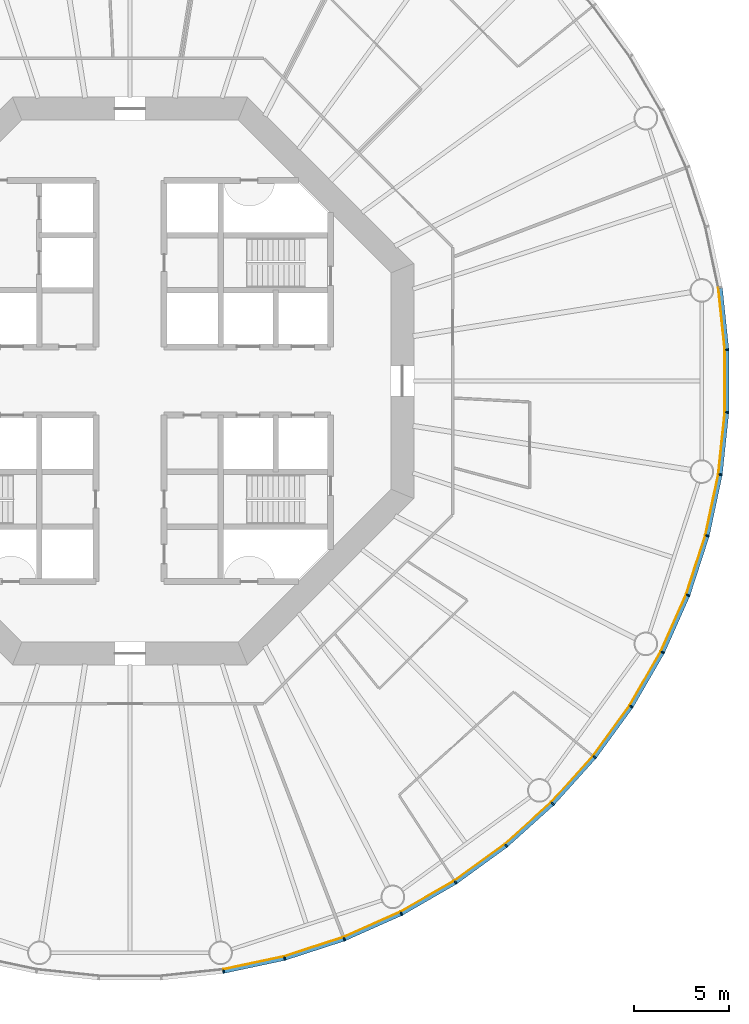
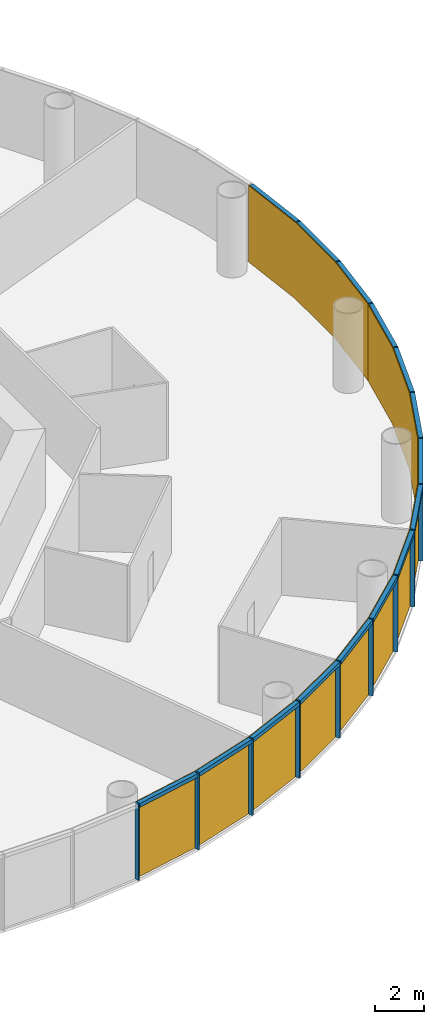
# One storey, part 9 of 13: 30 members, 5 curtain walls.
"""IFC4 building model written with IfcOpenShell, lengths in metres."""

from ifc_helpers import new_model, si_unit, direction, frame, origin, origin_2d, place, context, subcontext, project, spatial, polyline, rectangle, outline, extrude, material, layer, layer_set, material_profile, profile_set, type_object, element, aggregate, save


model = new_model("IFC4")

# Units and contexts
model_context = context("Model", 3, precision=1e-05, world=origin(), true_north=direction((0.0, 1.0)))
body_context = subcontext(model_context, "Body", "Model", "MODEL_VIEW")
ifc_project = project(units=[si_unit("LENGTHUNIT", "METRE"), si_unit("AREAUNIT", "SQUARE_METRE"), si_unit("VOLUMEUNIT", "CUBIC_METRE"), si_unit("PLANEANGLEUNIT", "RADIAN"), si_unit("MASSUNIT", "GRAM", prefix="KILO")], contexts=[model_context])

# Member
ifc_material_1 = material(Name="Anodised aluminium", Category="aluminium")
ifc_material_profile_1 = material_profile(ifc_material_1, rectangle(XDim=0.070068359375, YDim=0.199951171875, at=origin_2d()), Name="Mullion 70 x 200 mm anodised aluminium")
ifc_profile_set_1 = profile_set([ifc_material_profile_1], Name="Anodised aluminium")
member_type_1 = type_object("IfcMemberType", Name="Mullion 70 x 200 mm anodised aluminium", PredefinedType="MULLION", material=ifc_profile_set_1)
site_placement = place(None, origin())
building_placement = place(site_placement, origin())
storey_placement = place(building_placement, frame((0.0, 0.0, 104.0)))
member_1_placement = place(storey_placement, frame((94.943359375, 48.7890625, 0.0), z_axis=(0.0, 0.0, 1.0), x_axis=(0.987688340595, 0.15643446504, 0.0)))
member_1 = element("IfcMember", 1, at=member_1_placement, type_object=member_type_1, Name="MULLION L23-45", PredefinedType="MULLION", context=body_context, shape_type="SweptSolid", body=[
    extrude(rectangle(XDim=0.070068359375, YDim=0.199951171875, at=origin_2d()), origin(), (0.0, 0.0, 1.0), 3.85009765625),
])

member_2_placement = place(storey_placement, frame((98.1787109375, 49.476806640625, 0.0), z_axis=(0.0, 0.0, 1.0), x_axis=(0.965925826289, 0.258819045103, 0.0)))
member_2 = element("IfcMember", 2, at=member_2_placement, type_object=member_type_1, Name="MULLION L23-46", PredefinedType="MULLION", context=body_context, shape_type="SweptSolid", body=[
    extrude(rectangle(XDim=0.070068359375, YDim=0.199951171875, at=origin_2d()), origin(), (0.0, 0.0, 1.0), 3.85009765625),
])

member_3_placement = place(storey_placement, frame((101.324462890625, 50.498779296875, 0.0), z_axis=(0.0, 0.0, 1.0), x_axis=(0.933580426497, 0.358367949545, 0.0)))
member_3 = element("IfcMember", 3, at=member_3_placement, type_object=member_type_1, Name="MULLION L23-47", PredefinedType="MULLION", context=body_context, shape_type="SweptSolid", body=[
    extrude(rectangle(XDim=0.070068359375, YDim=0.199951171875, at=origin_2d()), origin(), (0.0, 0.0, 1.0), 3.85009765625),
])

member_4_placement = place(storey_placement, frame((104.34619140625, 51.84423828125, 0.0), z_axis=(0.0, 0.0, 1.0), x_axis=(0.891006524188, 0.45399049974, 0.0)))
member_4 = element("IfcMember", 4, at=member_4_placement, type_object=member_type_1, Name="MULLION L23-48", PredefinedType="MULLION", context=body_context, shape_type="SweptSolid", body=[
    extrude(rectangle(XDim=0.070068359375, YDim=0.199951171875, at=origin_2d()), origin(), (0.0, 0.0, 1.0), 3.85009765625),
])

member_5_placement = place(storey_placement, frame((107.210693359375, 53.498046875, 0.0), z_axis=(0.0, 0.0, 1.0), x_axis=(0.838670567945, 0.544639035015, 0.0)))
member_5 = element("IfcMember", 5, at=member_5_placement, type_object=member_type_1, Name="MULLION L23-49", PredefinedType="MULLION", context=body_context, shape_type="SweptSolid", body=[
    extrude(rectangle(XDim=0.070068359375, YDim=0.199951171875, at=origin_2d()), origin(), (0.0, 0.0, 1.0), 3.85009765625),
])

member_6_placement = place(storey_placement, frame((109.886474609375, 55.442138671875, 0.0), z_axis=(0.0, 0.0, 1.0), x_axis=(0.777145961457, 0.62932039105, 0.0)))
member_6 = element("IfcMember", 6, at=member_6_placement, type_object=member_type_1, Name="MULLION L23-50", PredefinedType="MULLION", context=body_context, shape_type="SweptSolid", body=[
    extrude(rectangle(XDim=0.070068359375, YDim=0.199951171875, at=origin_2d()), origin(), (0.0, 0.0, 1.0), 3.85009765625),
])

member_7_placement = place(storey_placement, frame((112.344482421875, 57.655517578125, 0.0), z_axis=(0.0, 0.0, 1.0), x_axis=(0.707106781187, 0.707106781187, 0.0)))
member_7 = element("IfcMember", 7, at=member_7_placement, type_object=member_type_1, Name="MULLION L23-51", PredefinedType="MULLION", context=body_context, shape_type="SweptSolid", body=[
    extrude(rectangle(XDim=0.070068359375, YDim=0.199951171875, at=origin_2d()), origin(), (0.0, 0.0, 1.0), 3.85009765625),
])

member_8_placement = place(storey_placement, frame((114.557861328125, 60.113525390625, 0.0), z_axis=(0.0, 0.0, 1.0), x_axis=(0.62932039105, 0.777145961457, 0.0)))
member_8 = element("IfcMember", 8, at=member_8_placement, type_object=member_type_1, Name="MULLION L23-52", PredefinedType="MULLION", context=body_context, shape_type="SweptSolid", body=[
    extrude(rectangle(XDim=0.070068359375, YDim=0.199951171875, at=origin_2d()), origin(), (0.0, 0.0, 1.0), 3.85009765625),
])

member_9_placement = place(storey_placement, frame((116.501953125, 62.789306640625, 0.0), z_axis=(0.0, 0.0, 1.0), x_axis=(0.544639035015, 0.838670567945, 0.0)))
member_9 = element("IfcMember", 9, at=member_9_placement, type_object=member_type_1, Name="MULLION L23-53", PredefinedType="MULLION", context=body_context, shape_type="SweptSolid", body=[
    extrude(rectangle(XDim=0.070068359375, YDim=0.199951171875, at=origin_2d()), origin(), (0.0, 0.0, 1.0), 3.85009765625),
])

member_10_placement = place(storey_placement, frame((118.15576171875, 65.65380859375, 0.0), z_axis=(0.0, 0.0, 1.0), x_axis=(0.45399049974, 0.891006524188, 0.0)))
member_10 = element("IfcMember", 10, at=member_10_placement, type_object=member_type_1, Name="MULLION L23-54", PredefinedType="MULLION", context=body_context, shape_type="SweptSolid", body=[
    extrude(rectangle(XDim=0.070068359375, YDim=0.199951171875, at=origin_2d()), origin(), (0.0, 0.0, 1.0), 3.85009765625),
])

member_11_placement = place(storey_placement, frame((119.501220703125, 68.675537109375, 0.0), z_axis=(0.0, 0.0, 1.0), x_axis=(0.358367949545, 0.933580426497, 0.0)))
member_11 = element("IfcMember", 11, at=member_11_placement, type_object=member_type_1, Name="MULLION L23-55", PredefinedType="MULLION", context=body_context, shape_type="SweptSolid", body=[
    extrude(rectangle(XDim=0.070068359375, YDim=0.199951171875, at=origin_2d()), origin(), (0.0, 0.0, 1.0), 3.85009765625),
])

member_12_placement = place(storey_placement, frame((120.523193359375, 71.8212890625, 0.0), z_axis=(0.0, 0.0, 1.0), x_axis=(0.258819045103, 0.965925826289, 0.0)))
member_12 = element("IfcMember", 12, at=member_12_placement, type_object=member_type_1, Name="MULLION L23-56", PredefinedType="MULLION", context=body_context, shape_type="SweptSolid", body=[
    extrude(rectangle(XDim=0.070068359375, YDim=0.199951171875, at=origin_2d()), origin(), (0.0, 0.0, 1.0), 3.85009765625),
])

member_13_placement = place(storey_placement, frame((121.2109375, 75.056640625, 0.0), z_axis=(0.0, 0.0, 1.0), x_axis=(0.15643446504, 0.987688340595, 0.0)))
member_13 = element("IfcMember", 13, at=member_13_placement, type_object=member_type_1, Name="MULLION L23-57", PredefinedType="MULLION", context=body_context, shape_type="SweptSolid", body=[
    extrude(rectangle(XDim=0.070068359375, YDim=0.199951171875, at=origin_2d()), origin(), (0.0, 0.0, 1.0), 3.85009765625),
])

member_14_placement = place(storey_placement, frame((121.556640625, 78.34619140625, 0.0), z_axis=(0.0, 0.0, 1.0), x_axis=(0.052335956243, 0.998629534755, 0.0)))
member_14 = element("IfcMember", 14, at=member_14_placement, type_object=member_type_1, Name="MULLION L23-58", PredefinedType="MULLION", context=body_context, shape_type="SweptSolid", body=[
    extrude(rectangle(XDim=0.070068359375, YDim=0.199951171875, at=origin_2d()), origin(), (0.0, 0.0, 1.0), 3.85009765625),
])

member_15_placement = place(storey_placement, frame((121.556640625, 81.65380859375, 0.0), z_axis=(0.0, 0.0, 1.0), x_axis=(-0.052335956243, 0.998629534755, 0.0)))
member_15 = element("IfcMember", 15, at=member_15_placement, type_object=member_type_1, Name="MULLION L23-59", PredefinedType="MULLION", context=body_context, shape_type="SweptSolid", body=[
    extrude(rectangle(XDim=0.070068359375, YDim=0.199951171875, at=origin_2d()), origin(), (0.0, 0.0, 1.0), 3.85009765625),
])

ifc_material_2 = material(Name="Anodised aluminium", Category="aluminium")
ifc_material_profile_2 = material_profile(ifc_material_2, rectangle(XDim=0.199951171875, YDim=0.18994140625, at=origin_2d()), Name="Transom 190 x 200 mm anodised aluminium")
ifc_profile_set_2 = profile_set([ifc_material_profile_2], Name="Anodised aluminium")
member_type_2 = type_object("IfcMemberType", Name="Transom 190 x 200 mm anodised aluminium", PredefinedType="USERDEFINED", material=ifc_profile_set_2)
member_16_placement = place(storey_placement, frame((94.982666015625, 48.79736328125, 3.7548828125), z_axis=(0.978153082647, 0.207885898771, 0.0), x_axis=(-0.207885898771, 0.978153082647, 0.0)))
member_16 = element("IfcMember", 16, at=member_16_placement, type_object=member_type_2, Name="TRANSOM L23-45", ObjectType="TRANSOM", PredefinedType="USERDEFINED", context=body_context, shape_type="SweptSolid", body=[
    extrude(rectangle(XDim=0.199951171875, YDim=0.18994140625, at=origin_2d()), origin(), (0.0, 0.0, 1.0), 3.227294921875),
])

member_17_placement = place(storey_placement, frame((98.217041015625, 49.489013671875, 3.7548828125), z_axis=(0.951046855117, 0.309046726844, 0.0), x_axis=(-0.309046726844, 0.951046855117, 0.0)))
member_17 = element("IfcMember", 17, at=member_17_placement, type_object=member_type_2, Name="TRANSOM L23-46", ObjectType="TRANSOM", PredefinedType="USERDEFINED", context=body_context, shape_type="SweptSolid", body=[
    extrude(rectangle(XDim=0.199951171875, YDim=0.18994140625, at=origin_2d()), origin(), (0.0, 0.0, 1.0), 3.22705078125),
])

member_18_placement = place(storey_placement, frame((101.361328125, 50.51513671875, 3.7548828125), z_axis=(0.913549291349, 0.406728032322, 0.0), x_axis=(-0.406728032322, 0.913549291349, 0.0)))
member_18 = element("IfcMember", 18, at=member_18_placement, type_object=member_type_2, Name="TRANSOM L23-47", ObjectType="TRANSOM", PredefinedType="USERDEFINED", context=body_context, shape_type="SweptSolid", body=[
    extrude(rectangle(XDim=0.199951171875, YDim=0.18994140625, at=origin_2d()), origin(), (0.0, 0.0, 1.0), 3.22705078125),
])

member_19_placement = place(storey_placement, frame((104.381103515625, 51.8642578125, 3.7548828125), z_axis=(0.866023062494, 0.500004055213, 0.0), x_axis=(-0.500004055213, 0.866023062494, 0.0)))
member_19 = element("IfcMember", 19, at=member_19_placement, type_object=member_type_2, Name="TRANSOM L23-48", ObjectType="TRANSOM", PredefinedType="USERDEFINED", context=body_context, shape_type="SweptSolid", body=[
    extrude(rectangle(XDim=0.199951171875, YDim=0.18994140625, at=origin_2d()), origin(), (0.0, 0.0, 1.0), 3.22705078125),
])

member_20_placement = place(storey_placement, frame((107.2431640625, 53.521484375, 3.7548828125), z_axis=(0.809004252048, 0.587802790201, 0.0), x_axis=(-0.587802790201, 0.809004252048, 0.0)))
member_20 = element("IfcMember", 20, at=member_20_placement, type_object=member_type_2, Name="TRANSOM L23-49", ObjectType="TRANSOM", PredefinedType="USERDEFINED", context=body_context, shape_type="SweptSolid", body=[
    extrude(rectangle(XDim=0.199951171875, YDim=0.18994140625, at=origin_2d()), origin(), (0.0, 0.0, 1.0), 3.227294921875),
])

member_21_placement = place(storey_placement, frame((109.91650390625, 55.468994140625, 3.7548828125), z_axis=(0.743132370743, 0.669144438484, 0.0), x_axis=(-0.669144438484, 0.743132370743, 0.0)))
member_21 = element("IfcMember", 21, at=member_21_placement, type_object=member_type_2, Name="TRANSOM L23-50", ObjectType="TRANSOM", PredefinedType="USERDEFINED", context=body_context, shape_type="SweptSolid", body=[
    extrude(rectangle(XDim=0.199951171875, YDim=0.18994140625, at=origin_2d()), origin(), (0.0, 0.0, 1.0), 3.22705078125),
])

member_22_placement = place(storey_placement, frame((112.37158203125, 57.685302734375, 3.7548828125), z_axis=(0.669144438484, 0.743132370743, 0.0), x_axis=(-0.743132370743, 0.669144438484, 0.0)))
member_22 = element("IfcMember", 22, at=member_22_placement, type_object=member_type_2, Name="TRANSOM L23-51", ObjectType="TRANSOM", PredefinedType="USERDEFINED", context=body_context, shape_type="SweptSolid", body=[
    extrude(rectangle(XDim=0.199951171875, YDim=0.18994140625, at=origin_2d()), origin(), (0.0, 0.0, 1.0), 3.22705078125),
])

member_23_placement = place(storey_placement, frame((114.58154296875, 60.14599609375, 3.7548828125), z_axis=(0.587802790201, 0.809004252048, 0.0), x_axis=(-0.809004252048, 0.587802790201, 0.0)))
member_23 = element("IfcMember", 23, at=member_23_placement, type_object=member_type_2, Name="TRANSOM L23-52", ObjectType="TRANSOM", PredefinedType="USERDEFINED", context=body_context, shape_type="SweptSolid", body=[
    extrude(rectangle(XDim=0.199951171875, YDim=0.18994140625, at=origin_2d()), origin(), (0.0, 0.0, 1.0), 3.227294921875),
])

member_24_placement = place(storey_placement, frame((116.522216796875, 62.82421875, 3.7548828125), z_axis=(0.500004055213, 0.866023062494, 0.0), x_axis=(-0.866023062494, 0.500004055213, 0.0)))
member_24 = element("IfcMember", 24, at=member_24_placement, type_object=member_type_2, Name="TRANSOM L23-53", ObjectType="TRANSOM", PredefinedType="USERDEFINED", context=body_context, shape_type="SweptSolid", body=[
    extrude(rectangle(XDim=0.199951171875, YDim=0.18994140625, at=origin_2d()), origin(), (0.0, 0.0, 1.0), 3.22705078125),
])

member_25_placement = place(storey_placement, frame((118.17236328125, 65.690673828125, 3.7548828125), z_axis=(0.406728032322, 0.913549291349, 0.0), x_axis=(-0.913549291349, 0.406728032322, 0.0)))
member_25 = element("IfcMember", 25, at=member_25_placement, type_object=member_type_2, Name="TRANSOM L23-54", ObjectType="TRANSOM", PredefinedType="USERDEFINED", context=body_context, shape_type="SweptSolid", body=[
    extrude(rectangle(XDim=0.199951171875, YDim=0.18994140625, at=origin_2d()), origin(), (0.0, 0.0, 1.0), 3.22705078125),
])

member_26_placement = place(storey_placement, frame((119.513671875, 68.7138671875, 3.7548828125), z_axis=(0.309046726844, 0.951046855117, 0.0), x_axis=(-0.951046855117, 0.309046726844, 0.0)))
member_26 = element("IfcMember", 26, at=member_26_placement, type_object=member_type_2, Name="TRANSOM L23-55", ObjectType="TRANSOM", PredefinedType="USERDEFINED", context=body_context, shape_type="SweptSolid", body=[
    extrude(rectangle(XDim=0.199951171875, YDim=0.18994140625, at=origin_2d()), origin(), (0.0, 0.0, 1.0), 3.22705078125),
])

member_27_placement = place(storey_placement, frame((120.53173828125, 71.860595703125, 3.7548828125), z_axis=(0.207885898771, 0.978153082647, 0.0), x_axis=(-0.978153082647, 0.207885898771, 0.0)))
member_27 = element("IfcMember", 27, at=member_27_placement, type_object=member_type_2, Name="TRANSOM L23-56", ObjectType="TRANSOM", PredefinedType="USERDEFINED", context=body_context, shape_type="SweptSolid", body=[
    extrude(rectangle(XDim=0.199951171875, YDim=0.18994140625, at=origin_2d()), origin(), (0.0, 0.0, 1.0), 3.227294921875),
])

member_28_placement = place(storey_placement, frame((121.21533203125, 75.0966796875, 3.7548828125), z_axis=(0.104550890115, 0.994519537956, 0.0), x_axis=(-0.994519537956, 0.104550890115, 0.0)))
member_28 = element("IfcMember", 28, at=member_28_placement, type_object=member_type_2, Name="TRANSOM L23-57", ObjectType="TRANSOM", PredefinedType="USERDEFINED", context=body_context, shape_type="SweptSolid", body=[
    extrude(rectangle(XDim=0.199951171875, YDim=0.18994140625, at=origin_2d()), origin(), (0.0, 0.0, 1.0), 3.22705078125),
])

member_29_placement = place(storey_placement, frame((121.556884765625, 78.386474609375, 3.7548828125), z_axis=(0.0, 1.0, 0.0), x_axis=(-1.0, 0.0, 0.0)))
member_29 = element("IfcMember", 29, at=member_29_placement, type_object=member_type_2, Name="TRANSOM L23-58", ObjectType="TRANSOM", PredefinedType="USERDEFINED", context=body_context, shape_type="SweptSolid", body=[
    extrude(rectangle(XDim=0.199951171875, YDim=0.18994140625, at=origin_2d()), origin(), (0.0, 0.0, 1.0), 3.22705078125),
])

member_30_placement = place(storey_placement, frame((121.552734375, 81.69384765625, 3.7548828125), z_axis=(-0.104550890115, 0.994519537956, 0.0), x_axis=(-0.994519537956, -0.104550890115, 0.0)))
member_30 = element("IfcMember", 30, at=member_30_placement, type_object=member_type_2, Name="TRANSOM L23-59", ObjectType="TRANSOM", PredefinedType="USERDEFINED", context=body_context, shape_type="SweptSolid", body=[
    extrude(rectangle(XDim=0.199951171875, YDim=0.18994140625, at=origin_2d()), origin(), (0.0, 0.0, 1.0), 3.22705078125),
])

# Site, building, storey
site = spatial("IfcSite", under=ifc_project, at=site_placement, CompositionType="ELEMENT")
building = spatial("IfcBuilding", under=site, at=building_placement, Name="Entoto Ring Tower", CompositionType="ELEMENT")
storey = spatial("IfcBuildingStorey", under=building, at=storey_placement, Name="L23", CompositionType="ELEMENT", Elevation=104.0)

# Curtain wall
ifc_material_3 = material(Name="Clear low-iron glass", Category="glass")
ifc_layer = layer(ifc_material_3, 0.035888671875)
ifc_layer_set = layer_set([ifc_layer], Name="Clear low-iron glass")
curtain_wall_type = type_object("IfcCurtainWallType", Name="Curtain wall system CW2 glazing 36 mm", PredefinedType="NOTDEFINED", material=ifc_layer_set)
curtain_wall_1_placement = place(storey_placement, origin())
curtain_wall_1 = element("IfcCurtainWall", 31, at=curtain_wall_1_placement, inside=storey, type_object=curtain_wall_type, Name="CW2 L23-16", PredefinedType="NOTDEFINED", context=body_context, shape_type="SweptSolid", body=[
    extrude(outline(polyline([(94.927734375, 48.8876953125), (98.15283203125, 49.5732421875), (101.28857421875, 50.59228515625), (104.30078125, 51.933349609375), (104.284423828125, 51.96533203125), (101.275634765625, 50.6259765625), (98.1435546875, 49.608154296875), (94.922119140625, 48.92333984375), (94.927734375, 48.8876953125)])), origin(), (0.0, 0.0, 1.0), 3.85009765625),
])

aggregate(curtain_wall_1, [member_1, member_2, member_3, member_16, member_17, member_18])

curtain_wall_2_placement = place(storey_placement, origin())
curtain_wall_2 = element("IfcCurtainWall", 32, at=curtain_wall_2_placement, inside=storey, type_object=curtain_wall_type, Name="CW2 L23-17", PredefinedType="NOTDEFINED", context=body_context, shape_type="SweptSolid", body=[
    extrude(outline(polyline([(104.30078125, 51.933349609375), (107.15625, 53.581787109375), (109.823486328125, 55.52001953125), (112.27392578125, 57.72607421875), (112.248291015625, 57.751708984375), (109.801025390625, 55.5478515625), (107.136474609375, 53.612060546875), (104.284423828125, 51.96533203125), (104.30078125, 51.933349609375)])), origin(), (0.0, 0.0, 1.0), 3.85009765625),
])

aggregate(curtain_wall_2, [member_4, member_5, member_6, member_19, member_20, member_21])

curtain_wall_3_placement = place(storey_placement, origin())
curtain_wall_3 = element("IfcCurtainWall", 33, at=curtain_wall_3_placement, inside=storey, type_object=curtain_wall_type, Name="CW2 L23-18", PredefinedType="NOTDEFINED", context=body_context, shape_type="SweptSolid", body=[
    extrude(outline(polyline([(112.27392578125, 57.72607421875), (114.47998046875, 60.176513671875), (116.418212890625, 62.84375), (118.066650390625, 65.69921875), (118.03466796875, 65.715576171875), (116.387939453125, 62.863525390625), (114.4521484375, 60.198974609375), (112.248291015625, 57.751708984375), (112.27392578125, 57.72607421875)])), origin(), (0.0, 0.0, 1.0), 3.85009765625),
])

aggregate(curtain_wall_3, [member_7, member_8, member_9, member_22, member_23, member_24])

curtain_wall_4_placement = place(storey_placement, origin())
curtain_wall_4 = element("IfcCurtainWall", 34, at=curtain_wall_4_placement, inside=storey, type_object=curtain_wall_type, Name="CW2 L23-19", PredefinedType="NOTDEFINED", context=body_context, shape_type="SweptSolid", body=[
    extrude(outline(polyline([(118.066650390625, 65.69921875), (119.40771484375, 68.71142578125), (120.4267578125, 71.84716796875), (121.1123046875, 75.072265625), (121.07666015625, 75.077880859375), (120.391845703125, 71.8564453125), (119.3740234375, 68.724365234375), (118.03466796875, 65.715576171875), (118.066650390625, 65.69921875)])), origin(), (0.0, 0.0, 1.0), 3.85009765625),
])

aggregate(curtain_wall_4, [member_10, member_11, member_12, member_25, member_26, member_27])

curtain_wall_5_placement = place(storey_placement, origin())
curtain_wall_5 = element("IfcCurtainWall", 35, at=curtain_wall_5_placement, inside=storey, type_object=curtain_wall_type, Name="CW2 L23-20", PredefinedType="NOTDEFINED", context=body_context, shape_type="SweptSolid", body=[
    extrude(outline(polyline([(121.1123046875, 75.072265625), (121.456787109375, 78.351318359375), (121.456787109375, 81.648681640625), (121.1123046875, 84.927734375), (121.07666015625, 84.922119140625), (121.4208984375, 81.646728515625), (121.4208984375, 78.353271484375), (121.07666015625, 75.077880859375), (121.1123046875, 75.072265625)])), origin(), (0.0, 0.0, 1.0), 3.85009765625),
])

aggregate(curtain_wall_5, [member_13, member_14, member_15, member_28, member_29, member_30])

save(model, "model.ifc")
